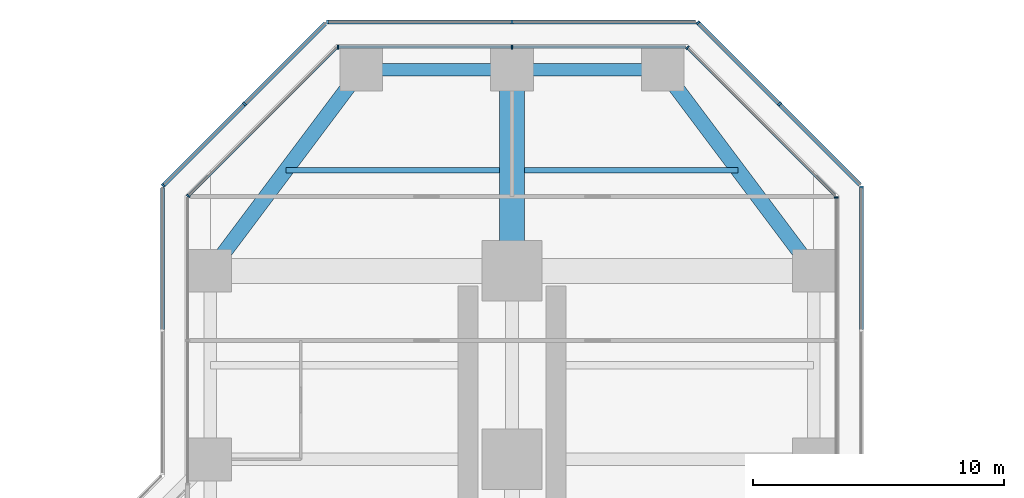
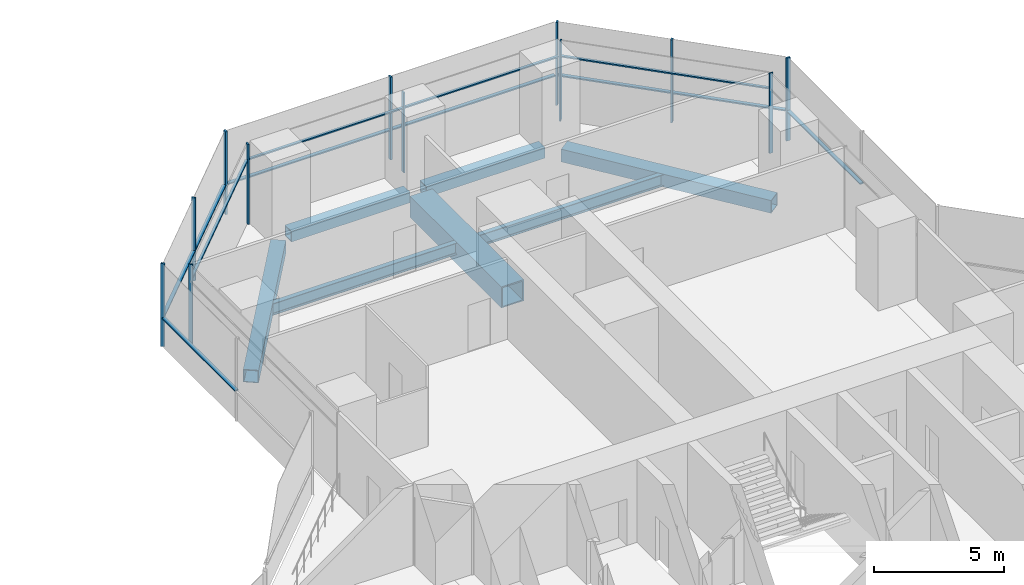
# One storey, part 13 of 22: 24 members, 7 beams, 9 elements without a shape of their own.
"""IFC4 building model written with IfcOpenShell, lengths in metres."""

from ifc_helpers import new_model, si_unit, direction, frame, origin, origin_2d, place, context, subcontext, project, spatial, rectangle, hollow_rectangle, i_section, extrude, material, material_profile, profile_set, type_object, element, aggregate, save


model = new_model("IFC4")

# Units and contexts
model_context = context("Model", 3, precision=1e-05, world=origin(), true_north=direction((0.0, 1.0)))
body_context = subcontext(model_context, "Body", "Model", "MODEL_VIEW")
ifc_project = project(units=[si_unit("LENGTHUNIT", "METRE"), si_unit("AREAUNIT", "SQUARE_METRE"), si_unit("VOLUMEUNIT", "CUBIC_METRE"), si_unit("PLANEANGLEUNIT", "RADIAN"), si_unit("MASSUNIT", "GRAM", prefix="KILO")], contexts=[model_context])

# Site, building, storey
site_placement = place(None, origin())
site = spatial("IfcSite", under=ifc_project, at=site_placement, CompositionType="ELEMENT")
building_placement = place(site_placement, origin())
building = spatial("IfcBuilding", under=site, at=building_placement, Name="Mizan Broadcast Tower", CompositionType="ELEMENT")
storey_placement = place(building_placement, frame((0.0, 0.0, 51.300048828125)))
storey = spatial("IfcBuildingStorey", under=building, at=storey_placement, Name="L09", CompositionType="ELEMENT", Elevation=51.300048828125)

# Beams
ifc_material_1 = material(Name="Steel S355", Category="steel")
ifc_material_profile_1 = material_profile(ifc_material_1, hollow_rectangle(XDim=0.5, YDim=0.5, WallThickness=0.030029296875, at=origin_2d()), Name="BOX 500x500x30")
ifc_profile_set_1 = profile_set([ifc_material_profile_1], Name="Steel S355")
beam_type_1 = type_object("IfcBeamType", Name="EDGE BEAM BOX 500x500x30", PredefinedType="SPANDREL", material=ifc_profile_set_1)
for number, where, z_axis, x_axis, name in (
    (1, (5.639892578125, 35.0, -0.380126953125), (-1.0, 0.0, 0.0), (0.0, -1.0, 0.0), "Edge beam BOX 500x500x30 L09 north arm"),
    (2, (-5.639892578125, 35.0, -0.380126953125), (1.0, 0.0, 0.0), (0.0, 1.0, 0.0), "Edge beam BOX 500x500x30 L09 north arm"),
):
    element("IfcBeam", number, at=place(storey_placement, frame(where, z_axis=z_axis, x_axis=x_axis)), inside=storey, type_object=beam_type_1, Name=name, PredefinedType="SPANDREL", context=body_context, shape_type="SweptSolid", body=[
        extrude(hollow_rectangle(XDim=0.5, YDim=0.5, WallThickness=0.030029296875, at=origin_2d()), origin(), (0.0, 0.0, 1.0), 5.27978515625),
    ])
ifc_material_2 = material(Name="Steel S355", Category="steel")
ifc_material_profile_2 = material_profile(ifc_material_2, hollow_rectangle(XDim=0.60009765625, YDim=0.60009765625, WallThickness=0.030029296875, at=origin_2d()), Name="BOX 600x600x30")
ifc_profile_set_2 = profile_set([ifc_material_profile_2], Name="Steel S355")
beam_type_2 = type_object("IfcBeamType", Name="EDGE BEAM BOX 600x600x30", PredefinedType="SPANDREL", material=ifc_profile_set_2)
for number, where, z_axis, x_axis, name in (
    (3, (11.639892578125, 27.47998046875, -0.429931640625), (-0.599982243973, 0.800013316712, 0.0), (-0.800013316712, -0.599982243973, 0.0), "Edge beam BOX 600x600x30 L09 north arm"),
    (4, (-11.639892578125, 27.47998046875, -0.429931640625), (0.599982243973, 0.800013316712, 0.0), (-0.800013316712, 0.599982243973, 0.0), "Edge beam BOX 600x600x30 L09 north arm"),
):
    element("IfcBeam", number, at=place(storey_placement, frame(where, z_axis=z_axis, x_axis=x_axis)), inside=storey, type_object=beam_type_2, Name=name, PredefinedType="SPANDREL", context=body_context, shape_type="SweptSolid", body=[
        extrude(hollow_rectangle(XDim=0.60009765625, YDim=0.60009765625, WallThickness=0.030029296875, at=origin_2d()), origin(), (0.0, 0.0, 1.0), 8.7998046875),
    ])
ifc_material_3 = material(Name="Steel S460", Category="steel")
ifc_material_profile_3 = material_profile(ifc_material_3, hollow_rectangle(XDim=1.0, YDim=1.0, WallThickness=0.06005859375, at=origin_2d()), Name="BOX 1000x1000x60")
ifc_profile_set_3 = profile_set([ifc_material_profile_3], Name="Steel S460")
beam_type_3 = type_object("IfcBeamType", Name="GIRDER BOX 1000x1000x60", PredefinedType="BEAM", material=ifc_profile_set_3)
beam_placement = place(storey_placement, frame((0.0, 27.47998046875, -0.630126953125), z_axis=(0.0, 1.0, 0.0), x_axis=(-1.0, 0.0, 0.0)))
element("IfcBeam", 5, at=beam_placement, inside=storey, type_object=beam_type_3, Name="Girder BOX 1000x1000x60 L09 north arm", PredefinedType="BEAM", context=body_context, shape_type="SweptSolid", body=[
    extrude(hollow_rectangle(XDim=1.0, YDim=1.0, WallThickness=0.06005859375, at=origin_2d()), origin(), (0.0, 0.0, 1.0), 7.0400390625),
])

# Curtain wall, member
ifc_material_4 = material(Name="Aluminium framed glazing", Category="aluminium")
curtain_wall_type_1 = type_object("IfcCurtainWallType", Name="INNER SKIN LOW ZONE", PredefinedType="USERDEFINED", material=ifc_material_4)
curtain_wall_1_placement = place(storey_placement, origin())
curtain_wall_1 = element("IfcCurtainWall", 6, at=curtain_wall_1_placement, inside=storey, type_object=curtain_wall_type_1, Name="Inner skin low zone L09 N side", ObjectType="INNER SKIN LOW ZONE", PredefinedType="USERDEFINED")
ifc_material_5 = material(Name="Aluminium, pale anodised", Category="aluminium")
ifc_material_profile_4 = material_profile(ifc_material_5, rectangle(XDim=0.159912109375, YDim=0.06005859375, at=origin_2d()), Name="MULLION 160x60")
ifc_profile_set_4 = profile_set([ifc_material_profile_4], Name="Aluminium, pale anodised")
member_type_1 = type_object("IfcMemberType", Name="INNER SKIN MULLION 60x160", PredefinedType="MULLION", material=ifc_profile_set_4)
member_1_placement = place(storey_placement, frame((12.89990234375, 29.928466796875, 0.0), z_axis=(0.0, 0.0, 1.0), x_axis=(-1.0, 0.0, 0.0)))
member_1 = element("IfcMember", 7, at=member_1_placement, type_object=member_type_1, Name="Inner skin low zone L09 N side mullion 3", PredefinedType="MULLION", context=body_context, shape_type="SweptSolid", body=[
    extrude(rectangle(XDim=0.159912109375, YDim=0.06005859375, at=origin_2d()), origin(), (0.0, 0.0, 1.0), 3.77001953125),
])
aggregate(curtain_wall_1, [member_1])

curtain_wall_2_placement = place(storey_placement, origin())
curtain_wall_2 = element("IfcCurtainWall", 8, at=curtain_wall_2_placement, inside=storey, type_object=curtain_wall_type_1, Name="Inner skin low zone L09 N chamfer", ObjectType="INNER SKIN LOW ZONE", PredefinedType="USERDEFINED")
member_2_placement = place(storey_placement, frame((6.979736328125, 35.87890625, 0.0), z_axis=(0.0, 0.0, 1.0), x_axis=(-0.707106781187, -0.707106781187, 0.0)))
member_2 = element("IfcMember", 9, at=member_2_placement, type_object=member_type_1, Name="Inner skin low zone L09 N chamfer mullion 2", PredefinedType="MULLION", context=body_context, shape_type="SweptSolid", body=[
    extrude(rectangle(XDim=0.159912109375, YDim=0.06005859375, at=origin_2d()), origin(), (0.0, 0.0, 1.0), 3.77001953125),
])

# Curtain wall, members
curtain_wall_3_placement = place(storey_placement, origin())
curtain_wall_3 = element("IfcCurtainWall", 10, at=curtain_wall_3_placement, inside=storey, type_object=curtain_wall_type_1, Name="Inner skin low zone L09 N end", ObjectType="INNER SKIN LOW ZONE", PredefinedType="USERDEFINED")
member_3_placement = place(storey_placement, frame((0.0, 35.89990234375, 0.0), z_axis=(0.0, 0.0, 1.0), x_axis=(0.0, -1.0, 0.0)))
member_3 = element("IfcMember", 11, at=member_3_placement, type_object=member_type_1, Name="Inner skin low zone L09 N end mullion 2", PredefinedType="MULLION", context=body_context, shape_type="SweptSolid", body=[
    extrude(rectangle(XDim=0.159912109375, YDim=0.06005859375, at=origin_2d()), origin(), (0.0, 0.0, 1.0), 3.77001953125),
])
member_4_placement = place(storey_placement, frame((-6.928466796875, 35.89990234375, 0.0), z_axis=(0.0, 0.0, 1.0), x_axis=(0.0, -1.0, 0.0)))
member_4 = element("IfcMember", 12, at=member_4_placement, type_object=member_type_1, Name="Inner skin low zone L09 N end mullion 3", PredefinedType="MULLION", context=body_context, shape_type="SweptSolid", body=[
    extrude(rectangle(XDim=0.159912109375, YDim=0.06005859375, at=origin_2d()), origin(), (0.0, 0.0, 1.0), 3.77001953125),
])

# Curtain wall, member
curtain_wall_4_placement = place(storey_placement, origin())
curtain_wall_4 = element("IfcCurtainWall", 13, at=curtain_wall_4_placement, inside=storey, type_object=curtain_wall_type_1, Name="Inner skin low zone L09 N chamfer", ObjectType="INNER SKIN LOW ZONE", PredefinedType="USERDEFINED")
member_5_placement = place(storey_placement, frame((-12.87890625, 29.979736328125, 0.0), z_axis=(0.0, 0.0, 1.0), x_axis=(0.707106781187, -0.707106781187, 0.0)))
member_5 = element("IfcMember", 14, at=member_5_placement, type_object=member_type_1, Name="Inner skin low zone L09 N chamfer mullion 2", PredefinedType="MULLION", context=body_context, shape_type="SweptSolid", body=[
    extrude(rectangle(XDim=0.159912109375, YDim=0.06005859375, at=origin_2d()), origin(), (0.0, 0.0, 1.0), 3.77001953125),
])

# Member
ifc_material_6 = material(Name="Aluminium, pale anodised", Category="aluminium")
ifc_material_profile_5 = material_profile(ifc_material_6, rectangle(XDim=0.1201171875, YDim=0.06005859375, at=origin_2d()), Name="TRANSOM 120x60")
ifc_profile_set_5 = profile_set([ifc_material_profile_5], Name="Aluminium, pale anodised")
member_type_2 = type_object("IfcMemberType", Name="INNER SKIN TRANSOM 60x120", PredefinedType="USERDEFINED", material=ifc_profile_set_5)
member_6_placement = place(storey_placement, frame((12.857666015625, 30.0009765625, 3.030029296875), z_axis=(-0.707106781187, 0.707106781187, 0.0), x_axis=(-0.707106781187, -0.707106781187, 0.0)))
member_6 = element("IfcMember", 15, at=member_6_placement, type_object=member_type_2, Name="Inner skin low zone L09 N chamfer transom 1.1", ObjectType="TRANSOM", PredefinedType="USERDEFINED", context=body_context, shape_type="SweptSolid", body=[
    extrude(rectangle(XDim=0.1201171875, YDim=0.06005859375, at=origin_2d()), origin(), (0.0, 0.0, 1.0), 8.28271484375),
])

aggregate(curtain_wall_2, [member_2, member_6])

member_7_placement = place(storey_placement, frame((6.898681640625, 35.89990234375, 3.030029296875), z_axis=(-1.0, 0.0, 0.0), x_axis=(0.0, -1.0, 0.0)))
member_7 = element("IfcMember", 16, at=member_7_placement, type_object=member_type_2, Name="Inner skin low zone L09 N end transom 1.1", ObjectType="TRANSOM", PredefinedType="USERDEFINED", context=body_context, shape_type="SweptSolid", body=[
    extrude(rectangle(XDim=0.1201171875, YDim=0.06005859375, at=origin_2d()), origin(), (0.0, 0.0, 1.0), 6.86865234375),
])

member_8_placement = place(storey_placement, frame((-0.030029296875, 35.89990234375, 3.030029296875), z_axis=(-1.0, 0.0, 0.0), x_axis=(0.0, -1.0, 0.0)))
member_8 = element("IfcMember", 17, at=member_8_placement, type_object=member_type_2, Name="Inner skin low zone L09 N end transom 2.1", ObjectType="TRANSOM", PredefinedType="USERDEFINED", context=body_context, shape_type="SweptSolid", body=[
    extrude(rectangle(XDim=0.1201171875, YDim=0.06005859375, at=origin_2d()), origin(), (0.0, 0.0, 1.0), 6.86865234375),
])

aggregate(curtain_wall_3, [member_3, member_4, member_7, member_8])

member_9_placement = place(storey_placement, frame((-7.0009765625, 35.857666015625, 3.030029296875), z_axis=(-0.707106781187, -0.707106781187, 0.0), x_axis=(0.707106781187, -0.707106781187, 0.0)))
member_9 = element("IfcMember", 18, at=member_9_placement, type_object=member_type_2, Name="Inner skin low zone L09 N chamfer transom 1.1", ObjectType="TRANSOM", PredefinedType="USERDEFINED", context=body_context, shape_type="SweptSolid", body=[
    extrude(rectangle(XDim=0.1201171875, YDim=0.06005859375, at=origin_2d()), origin(), (0.0, 0.0, 1.0), 8.28271484375),
])

aggregate(curtain_wall_4, [member_5, member_9])

# Curtain wall, member
ifc_material_7 = material(Name="Aluminium framed glazing", Category="aluminium")
curtain_wall_type_2 = type_object("IfcCurtainWallType", Name="OUTER SKIN", PredefinedType="USERDEFINED", material=ifc_material_7)
curtain_wall_5_placement = place(storey_placement, origin())
curtain_wall_5 = element("IfcCurtainWall", 19, at=curtain_wall_5_placement, inside=storey, type_object=curtain_wall_type_2, Name="Outer skin L09 N side", ObjectType="OUTER SKIN", PredefinedType="USERDEFINED")
ifc_material_8 = material(Name="Aluminium, pale anodised", Category="aluminium")
ifc_material_profile_6 = material_profile(ifc_material_8, rectangle(XDim=0.159912109375, YDim=0.080078125, at=origin_2d()), Name="MULLION 160x80")
ifc_profile_set_6 = profile_set([ifc_material_profile_6], Name="Aluminium, pale anodised")
member_type_3 = type_object("IfcMemberType", Name="OUTER SKIN MULLION 80x160", PredefinedType="MULLION", material=ifc_profile_set_6)
member_10_placement = place(storey_placement, frame((13.89990234375, 30.332763671875, 0.0), z_axis=(0.0, 0.0, 1.0), x_axis=(-1.0, 0.0, 0.0)))
member_10 = element("IfcMember", 20, at=member_10_placement, type_object=member_type_3, Name="Outer skin L09 N side mullion 3", PredefinedType="MULLION", context=body_context, shape_type="SweptSolid", body=[
    extrude(rectangle(XDim=0.159912109375, YDim=0.080078125, at=origin_2d()), origin(), (0.0, 0.0, 1.0), 3.89990234375),
])

# Curtain wall, members
curtain_wall_6_placement = place(storey_placement, origin())
curtain_wall_6 = element("IfcCurtainWall", 21, at=curtain_wall_6_placement, inside=storey, type_object=curtain_wall_type_2, Name="Outer skin L09 N chamfer", ObjectType="OUTER SKIN", PredefinedType="USERDEFINED")
member_11_placement = place(storey_placement, frame((10.636474609375, 33.636474609375, 0.0), z_axis=(0.0, 0.0, 1.0), x_axis=(-0.707106781187, -0.707106781187, 0.0)))
member_11 = element("IfcMember", 22, at=member_11_placement, type_object=member_type_3, Name="Outer skin L09 N chamfer mullion 2", PredefinedType="MULLION", context=body_context, shape_type="SweptSolid", body=[
    extrude(rectangle(XDim=0.159912109375, YDim=0.080078125, at=origin_2d()), origin(), (0.0, 0.0, 1.0), 3.89990234375),
])
member_12_placement = place(storey_placement, frame((7.401123046875, 36.871826171875, 0.0), z_axis=(0.0, 0.0, 1.0), x_axis=(-0.707106781187, -0.707106781187, 0.0)))
member_12 = element("IfcMember", 23, at=member_12_placement, type_object=member_type_3, Name="Outer skin L09 N chamfer mullion 3", PredefinedType="MULLION", context=body_context, shape_type="SweptSolid", body=[
    extrude(rectangle(XDim=0.159912109375, YDim=0.080078125, at=origin_2d()), origin(), (0.0, 0.0, 1.0), 3.89990234375),
])

curtain_wall_7_placement = place(storey_placement, origin())
curtain_wall_7 = element("IfcCurtainWall", 24, at=curtain_wall_7_placement, inside=storey, type_object=curtain_wall_type_2, Name="Outer skin L09 N end", ObjectType="OUTER SKIN", PredefinedType="USERDEFINED")
member_13_placement = place(storey_placement, frame((0.0, 36.89990234375, 0.0), z_axis=(0.0, 0.0, 1.0), x_axis=(0.0, -1.0, 0.0)))
member_13 = element("IfcMember", 25, at=member_13_placement, type_object=member_type_3, Name="Outer skin L09 N end mullion 2", PredefinedType="MULLION", context=body_context, shape_type="SweptSolid", body=[
    extrude(rectangle(XDim=0.159912109375, YDim=0.080078125, at=origin_2d()), origin(), (0.0, 0.0, 1.0), 3.89990234375),
])
member_14_placement = place(storey_placement, frame((-7.332763671875, 36.89990234375, 0.0), z_axis=(0.0, 0.0, 1.0), x_axis=(0.0, -1.0, 0.0)))
member_14 = element("IfcMember", 26, at=member_14_placement, type_object=member_type_3, Name="Outer skin L09 N end mullion 3", PredefinedType="MULLION", context=body_context, shape_type="SweptSolid", body=[
    extrude(rectangle(XDim=0.159912109375, YDim=0.080078125, at=origin_2d()), origin(), (0.0, 0.0, 1.0), 3.89990234375),
])

curtain_wall_8_placement = place(storey_placement, origin())
curtain_wall_8 = element("IfcCurtainWall", 27, at=curtain_wall_8_placement, inside=storey, type_object=curtain_wall_type_2, Name="Outer skin L09 N chamfer", ObjectType="OUTER SKIN", PredefinedType="USERDEFINED")
member_15_placement = place(storey_placement, frame((-10.636474609375, 33.636474609375, 0.0), z_axis=(0.0, 0.0, 1.0), x_axis=(0.707106781187, -0.707106781187, 0.0)))
member_15 = element("IfcMember", 28, at=member_15_placement, type_object=member_type_3, Name="Outer skin L09 N chamfer mullion 2", PredefinedType="MULLION", context=body_context, shape_type="SweptSolid", body=[
    extrude(rectangle(XDim=0.159912109375, YDim=0.080078125, at=origin_2d()), origin(), (0.0, 0.0, 1.0), 3.89990234375),
])
member_16_placement = place(storey_placement, frame((-13.871826171875, 30.401123046875, 0.0), z_axis=(0.0, 0.0, 1.0), x_axis=(0.707106781187, -0.707106781187, 0.0)))
member_16 = element("IfcMember", 29, at=member_16_placement, type_object=member_type_3, Name="Outer skin L09 N chamfer mullion 3", PredefinedType="MULLION", context=body_context, shape_type="SweptSolid", body=[
    extrude(rectangle(XDim=0.159912109375, YDim=0.080078125, at=origin_2d()), origin(), (0.0, 0.0, 1.0), 3.89990234375),
])

# Member
ifc_material_9 = material(Name="Aluminium, pale anodised", Category="aluminium")
ifc_material_profile_7 = material_profile(ifc_material_9, rectangle(XDim=0.159912109375, YDim=0.06005859375, at=origin_2d()), Name="TRANSOM 160x60")
ifc_profile_set_7 = profile_set([ifc_material_profile_7], Name="Aluminium, pale anodised")
member_type_4 = type_object("IfcMemberType", Name="OUTER SKIN TRANSOM 60x160", PredefinedType="USERDEFINED", material=ifc_profile_set_7)
member_17_placement = place(storey_placement, frame((13.89990234375, 24.662841796875, 1.39990234375), z_axis=(0.0, 1.0, 0.0), x_axis=(-1.0, 0.0, 0.0)))
member_17 = element("IfcMember", 30, at=member_17_placement, type_object=member_type_4, Name="Outer skin L09 N side transom 2.1", ObjectType="TRANSOM", PredefinedType="USERDEFINED", context=body_context, shape_type="SweptSolid", body=[
    extrude(rectangle(XDim=0.159912109375, YDim=0.06005859375, at=origin_2d()), origin(), (0.0, 0.0, 1.0), 5.6298828125),
])

aggregate(curtain_wall_5, [member_10, member_17])

member_18_placement = place(storey_placement, frame((13.843505859375, 30.429443359375, 1.39990234375), z_axis=(-0.707106781187, 0.707106781187, 0.0), x_axis=(-0.707106781187, -0.707106781187, 0.0)))
member_18 = element("IfcMember", 31, at=member_18_placement, type_object=member_type_4, Name="Outer skin L09 N chamfer transom 1.1", ObjectType="TRANSOM", PredefinedType="USERDEFINED", context=body_context, shape_type="SweptSolid", body=[
    extrude(rectangle(XDim=0.159912109375, YDim=0.06005859375, at=origin_2d()), origin(), (0.0, 0.0, 1.0), 4.495361328125),
])

member_19_placement = place(storey_placement, frame((10.608154296875, 33.664794921875, 1.39990234375), z_axis=(-0.707106781187, 0.707106781187, 0.0), x_axis=(-0.707106781187, -0.707106781187, 0.0)))
member_19 = element("IfcMember", 32, at=member_19_placement, type_object=member_type_4, Name="Outer skin L09 N chamfer transom 2.1", ObjectType="TRANSOM", PredefinedType="USERDEFINED", context=body_context, shape_type="SweptSolid", body=[
    extrude(rectangle(XDim=0.159912109375, YDim=0.06005859375, at=origin_2d()), origin(), (0.0, 0.0, 1.0), 4.495361328125),
])

aggregate(curtain_wall_6, [member_11, member_12, member_18, member_19])

member_20_placement = place(storey_placement, frame((7.292724609375, 36.89990234375, 1.39990234375), z_axis=(-1.0, 0.0, 0.0), x_axis=(0.0, -1.0, 0.0)))
member_20 = element("IfcMember", 33, at=member_20_placement, type_object=member_type_4, Name="Outer skin L09 N end transom 1.1", ObjectType="TRANSOM", PredefinedType="USERDEFINED", context=body_context, shape_type="SweptSolid", body=[
    extrude(rectangle(XDim=0.159912109375, YDim=0.06005859375, at=origin_2d()), origin(), (0.0, 0.0, 1.0), 7.252685546875),
])

member_21_placement = place(storey_placement, frame((-0.0400390625, 36.89990234375, 1.39990234375), z_axis=(-1.0, 0.0, 0.0), x_axis=(0.0, -1.0, 0.0)))
member_21 = element("IfcMember", 34, at=member_21_placement, type_object=member_type_4, Name="Outer skin L09 N end transom 2.1", ObjectType="TRANSOM", PredefinedType="USERDEFINED", context=body_context, shape_type="SweptSolid", body=[
    extrude(rectangle(XDim=0.159912109375, YDim=0.06005859375, at=origin_2d()), origin(), (0.0, 0.0, 1.0), 7.252685546875),
])

aggregate(curtain_wall_7, [member_13, member_14, member_20, member_21])

member_22_placement = place(storey_placement, frame((-7.429443359375, 36.843505859375, 1.39990234375), z_axis=(-0.707106781187, -0.707106781187, 0.0), x_axis=(0.707106781187, -0.707106781187, 0.0)))
member_22 = element("IfcMember", 35, at=member_22_placement, type_object=member_type_4, Name="Outer skin L09 N chamfer transom 1.1", ObjectType="TRANSOM", PredefinedType="USERDEFINED", context=body_context, shape_type="SweptSolid", body=[
    extrude(rectangle(XDim=0.159912109375, YDim=0.06005859375, at=origin_2d()), origin(), (0.0, 0.0, 1.0), 4.495361328125),
])

member_23_placement = place(storey_placement, frame((-10.664794921875, 33.608154296875, 1.39990234375), z_axis=(-0.707106781187, -0.707106781187, 0.0), x_axis=(0.707106781187, -0.707106781187, 0.0)))
member_23 = element("IfcMember", 36, at=member_23_placement, type_object=member_type_4, Name="Outer skin L09 N chamfer transom 2.1", ObjectType="TRANSOM", PredefinedType="USERDEFINED", context=body_context, shape_type="SweptSolid", body=[
    extrude(rectangle(XDim=0.159912109375, YDim=0.06005859375, at=origin_2d()), origin(), (0.0, 0.0, 1.0), 4.495361328125),
])

aggregate(curtain_wall_8, [member_15, member_16, member_22, member_23])

# Curtain wall, member
curtain_wall_9_placement = place(storey_placement, origin())
curtain_wall_9 = element("IfcCurtainWall", 37, at=curtain_wall_9_placement, inside=storey, type_object=curtain_wall_type_2, Name="Outer skin L09 N side", ObjectType="OUTER SKIN", PredefinedType="USERDEFINED")
member_24_placement = place(storey_placement, frame((-13.89990234375, 30.292724609375, 1.39990234375), z_axis=(0.0, -1.0, 0.0), x_axis=(1.0, 0.0, 0.0)))
member_24 = element("IfcMember", 38, at=member_24_placement, type_object=member_type_4, Name="Outer skin L09 N side transom 1.1", ObjectType="TRANSOM", PredefinedType="USERDEFINED", context=body_context, shape_type="SweptSolid", body=[
    extrude(rectangle(XDim=0.159912109375, YDim=0.06005859375, at=origin_2d()), origin(), (0.0, 0.0, 1.0), 5.6298828125),
])
aggregate(curtain_wall_9, [member_24])

# Beams
ifc_material_10 = material(Name="Steel S355", Category="steel")
ifc_material_profile_8 = material_profile(ifc_material_10, i_section(OverallWidth=0.2099609375, OverallDepth=0.550048828125, WebThickness=0.010986328125, FlangeThickness=0.01708984375, FilletRadius=0.02392578125, at=origin_2d()), Name="IPE 550")
ifc_profile_set_8 = profile_set([ifc_material_profile_8], Name="Steel S355")
beam_type_4 = type_object("IfcBeamType", Name="SECONDARY BEAM IPE 550", PredefinedType="JOIST", material=ifc_profile_set_8)
for number, where, z_axis, x_axis, name in (
    (39, (9.0, 31.0, -0.405029296875), (-1.0, 0.0, 0.0), (0.0, -1.0, 0.0), "Secondary beam IPE 550 L09 north arm"),
    (40, (-9.0, 31.0, -0.405029296875), (1.0, 0.0, 0.0), (0.0, 1.0, 0.0), "Secondary beam IPE 550 L09 north arm"),
):
    element("IfcBeam", number, at=place(storey_placement, frame(where, z_axis=z_axis, x_axis=x_axis)), inside=storey, type_object=beam_type_4, Name=name, PredefinedType="JOIST", context=body_context, shape_type="SweptSolid", body=[
        extrude(i_section(OverallWidth=0.2099609375, OverallDepth=0.550048828125, WebThickness=0.010986328125, FlangeThickness=0.01708984375, FilletRadius=0.02392578125, at=origin_2d()), origin(), (0.0, 0.0, 1.0), 8.5),
    ])

save(model, "model.ifc")
